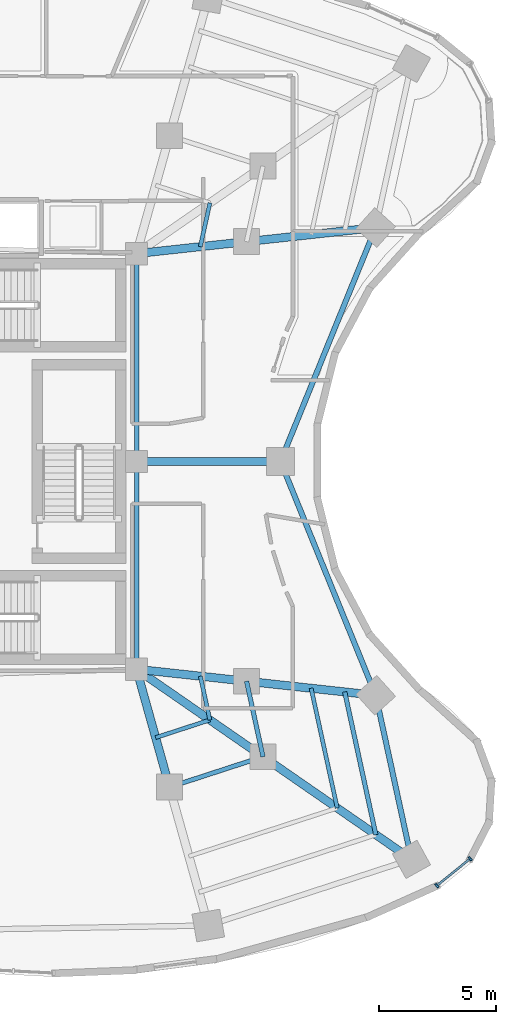
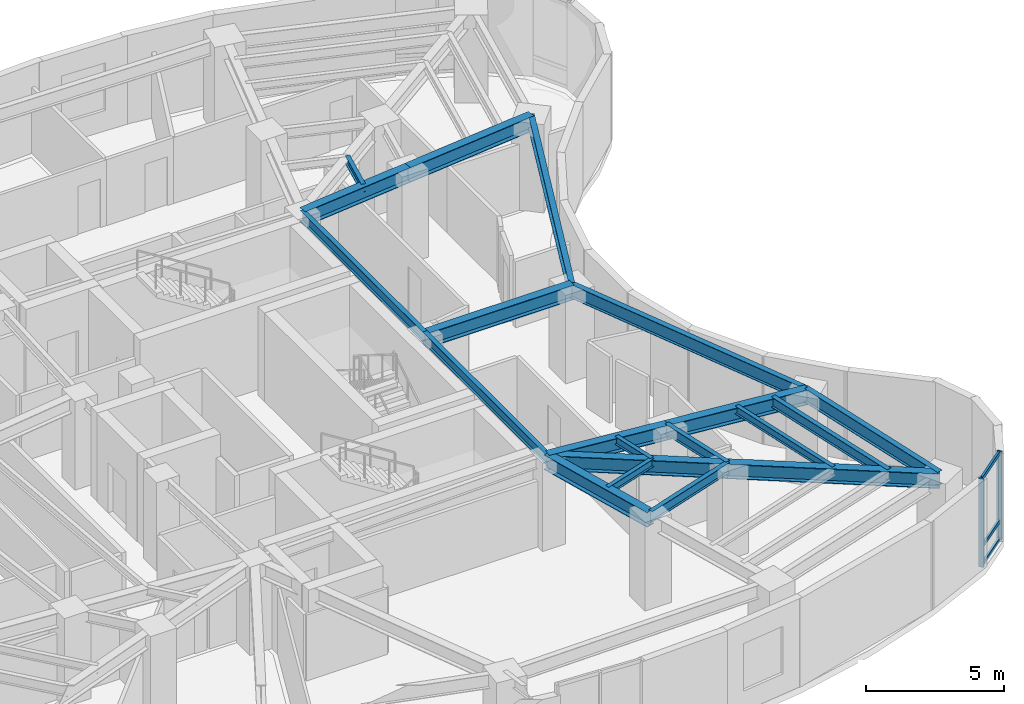
# One storey, part 4 of 14: 20 beams, 5 members, 1 element without a shape of its own.
"""IFC4 building model written with IfcOpenShell, lengths in metres."""

from ifc_helpers import new_model, si_unit, direction, frame, origin, origin_2d, place, context, subcontext, project, spatial, rectangle, i_section, extrude, material, layer, layer_set, material_profile, profile_set, type_object, element, aggregate, save


model = new_model("IFC4")

# Units and contexts
model_context = context("Model", 3, precision=1e-05, world=origin(), true_north=direction((0.0, 1.0)))
body_context = subcontext(model_context, "Body", "Model", "MODEL_VIEW")
ifc_project = project(units=[si_unit("LENGTHUNIT", "METRE"), si_unit("AREAUNIT", "SQUARE_METRE"), si_unit("VOLUMEUNIT", "CUBIC_METRE"), si_unit("PLANEANGLEUNIT", "RADIAN"), si_unit("MASSUNIT", "GRAM", prefix="KILO")], contexts=[model_context])

# Site, building, storey
site_placement = place(None, origin())
site = spatial("IfcSite", under=ifc_project, at=site_placement, CompositionType="ELEMENT")
building_placement = place(site_placement, origin())
building = spatial("IfcBuilding", under=site, at=building_placement, Name="Korentha Bioscience Tower", CompositionType="ELEMENT")
storey_placement = place(building_placement, frame((0.0, 0.0, 102.60009765625)))
storey = spatial("IfcBuildingStorey", under=building, at=storey_placement, Name="L23", CompositionType="ELEMENT", Elevation=102.60009765625)

# Beams
ifc_material_1 = material(Name="Steel S355", Category="steel")
ifc_material_profile_1 = material_profile(ifc_material_1, i_section(OverallWidth=0.18994140625, OverallDepth=0.45703125, WebThickness=0.009033203125, FlangeThickness=0.014404296875, at=origin_2d()), Name="Steel S355")
ifc_profile_set_1 = profile_set([ifc_material_profile_1], Name="Steel S355 (MB-460)")
beam_type_1 = type_object("IfcBeamType", Name="Mid-Ring Tie Girder W460x74", PredefinedType="BEAM", material=ifc_profile_set_1)
beam_1_placement = place(storey_placement, frame((38.954833984375, 13.129150390625, 3.67138671875), z_axis=(0.95087582253, 0.309572560361, 0.0), x_axis=(-0.309572560361, 0.95087582253, 0.0)))
element("IfcBeam", 1, at=beam_1_placement, inside=storey, type_object=beam_type_1, Name="L23 Mid-Ring Tie Girder 12", PredefinedType="BEAM", context=body_context, shape_type="SweptSolid", body=[
    extrude(i_section(OverallWidth=0.18994140625, OverallDepth=0.45703125, WebThickness=0.009033203125, FlangeThickness=0.014404296875, at=origin_2d()), origin(), (0.0, 0.0, 1.0), 4.186767578125),
])
beam_2_placement = place(storey_placement, frame((42.93603515625, 14.42529296875, 3.67138671875), z_axis=(-0.212928773299, 0.977067724112, 0.0), x_axis=(-0.977067724112, -0.212928773299, 0.0)))
element("IfcBeam", 2, at=beam_2_placement, inside=storey, type_object=beam_type_1, Name="L23 Mid-Ring Tie Girder 13", PredefinedType="BEAM", context=body_context, shape_type="SweptSolid", body=[
    extrude(i_section(OverallWidth=0.18994140625, OverallDepth=0.45703125, WebThickness=0.009033203125, FlangeThickness=0.014404296875, at=origin_2d()), origin(), (0.0, 0.0, 1.0), 3.28955078125),
])
for number, where, z_axis, x_axis, name in (
    (3, (37.550048828125, 18.14990234375, 3.67138671875), (0.0, 1.0, 0.0), (-1.0, 0.0, 0.0), "L23 Core Ring Tie Girder 06"),
    (4, (37.550048828125, 27.0, 3.67138671875), (0.0, 1.0, 0.0), (-1.0, 0.0, 0.0), "L23 Core Ring Tie Girder 07"),
):
    element("IfcBeam", number, at=place(storey_placement, frame(where, z_axis=z_axis, x_axis=x_axis)), inside=storey, type_object=beam_type_1, Name=name, PredefinedType="BEAM", context=body_context, shape_type="SweptSolid", body=[
        extrude(i_section(OverallWidth=0.18994140625, OverallDepth=0.45703125, WebThickness=0.009033203125, FlangeThickness=0.014404296875, at=origin_2d()), origin(), (0.0, 0.0, 1.0), 8.85009765625),
    ])

# Curtain wall, members
ifc_material_2 = material(Name="Thermally Broken Aluminium Frame", Category="aluminium")
ifc_layer = layer(ifc_material_2, 0.219970703125, Name="Thermally Broken Aluminium Frame")
ifc_layer_set = layer_set([ifc_layer], Name="Thermally Broken Aluminium Frame (CW-T1)")
curtain_wall_type = type_object("IfcCurtainWallType", Name="Standard Bioscience Lab Unitised Curtain Wall CW-T1", PredefinedType="USERDEFINED", material=ifc_layer_set)
curtain_wall_placement = place(storey_placement, origin())
curtain_wall = element("IfcCurtainWall", 5, at=curtain_wall_placement, inside=storey, type_object=curtain_wall_type, Name="L23 Curtain Wall 37", ObjectType="UNITISED", PredefinedType="USERDEFINED")
ifc_material_3 = material(Name="Anodised Aluminium 6063-T6", Category="aluminium")
ifc_material_profile_2 = material_profile(ifc_material_3, rectangle(XDim=0.090087890625, YDim=0.199951171875, at=origin_2d()), Name="Anodised Aluminium 6063-T6")
ifc_profile_set_2 = profile_set([ifc_material_profile_2], Name="Anodised Aluminium 6063-T6 (CW-MUL)")
member_type_1 = type_object("IfcMemberType", Name="Mullion RECT 90x200", PredefinedType="MULLION", material=ifc_profile_set_2)
member_1_placement = place(storey_placement, frame((50.337158203125, 8.931884765625, 0.0), z_axis=(0.0, 0.0, 1.0), x_axis=(0.777315301098, 0.629111216463, 0.0)))
member_1 = element("IfcMember", 6, at=member_1_placement, type_object=member_type_1, Name="CW-L23-37 Mullion 1", PredefinedType="MULLION", context=body_context, shape_type="SweptSolid", body=[
    extrude(rectangle(XDim=0.090087890625, YDim=0.199951171875, at=origin_2d()), origin(), (0.0, 0.0, 1.0), 3.89990234375),
])
member_2_placement = place(storey_placement, frame((51.7578125, 10.08154296875, 0.0), z_axis=(0.0, 0.0, 1.0), x_axis=(0.777315301098, 0.629111216463, 0.0)))
member_2 = element("IfcMember", 7, at=member_2_placement, type_object=member_type_1, Name="CW-L23-37 Mullion 2", PredefinedType="MULLION", context=body_context, shape_type="SweptSolid", body=[
    extrude(rectangle(XDim=0.090087890625, YDim=0.199951171875, at=origin_2d()), origin(), (0.0, 0.0, 1.0), 3.89990234375),
])

# Beams
ifc_material_profile_3 = material_profile(ifc_material_1, i_section(OverallWidth=0.22802734375, OverallDepth=0.60791015625, WebThickness=0.01123046875, FlangeThickness=0.017333984375, at=origin_2d()), Name="Steel S355")
ifc_profile_set_3 = profile_set([ifc_material_profile_3], Name="Steel S355 (SB-610)")
beam_type_2 = type_object("IfcBeamType", Name="Perimeter Ring Spandrel Girder W610x113", PredefinedType="SPANDREL", material=ifc_profile_set_3)
beam_3_placement = place(storey_placement, frame((49.2587890625, 10.052978515625, 3.595947265625), z_axis=(-0.212927102256, 0.977068088275, 0.0), x_axis=(-0.977068088275, -0.212927102256, 0.0)))
element("IfcBeam", 8, at=beam_3_placement, inside=storey, type_object=beam_type_2, Name="L23 Perimeter Spandrel Girder 13", PredefinedType="SPANDREL", context=body_context, shape_type="SweptSolid", body=[
    extrude(i_section(OverallWidth=0.22802734375, OverallDepth=0.60791015625, WebThickness=0.01123046875, FlangeThickness=0.017333984375, at=origin_2d()), origin(), (0.0, 0.0, 1.0), 7.1513671875),
])
for number, where, z_axis, x_axis, name in (
    (9, (47.736083984375, 17.040283203125, 3.595947265625), (-0.37709856037, 0.926173134876, 0.0), (-0.926173134876, -0.37709856037, 0.0), "L23 Perimeter Spandrel Girder 14"),
    (10, (43.680908203125, 27.0, 3.595947265625), (0.37709856037, 0.926173134876, 0.0), (-0.926173134876, 0.37709856037, 0.0), "L23 Perimeter Spandrel Girder 15"),
):
    element("IfcBeam", number, at=place(storey_placement, frame(where, z_axis=z_axis, x_axis=x_axis)), inside=storey, type_object=beam_type_2, Name=name, PredefinedType="SPANDREL", context=body_context, shape_type="SweptSolid", body=[
        extrude(i_section(OverallWidth=0.22802734375, OverallDepth=0.60791015625, WebThickness=0.01123046875, FlangeThickness=0.017333984375, at=origin_2d()), origin(), (0.0, 0.0, 1.0), 10.753662109375),
    ])
ifc_material_profile_4 = material_profile(ifc_material_1, i_section(OverallWidth=0.18994140625, OverallDepth=0.45703125, WebThickness=0.009033203125, FlangeThickness=0.014404296875, at=origin_2d()), Name="Steel S355")
ifc_profile_set_4 = profile_set([ifc_material_profile_4], Name="Steel S355 (RB-460)")
beam_type_3 = type_object("IfcBeamType", Name="Radial Laboratory Beam W460x74", PredefinedType="BEAM", material=ifc_profile_set_4)
beam_4_placement = place(storey_placement, frame((47.7412109375, 11.1025390625, 3.67138671875), z_axis=(-0.21290837934, 0.977072168269, 0.0), x_axis=(-0.977072168269, -0.21290837934, 0.0)))
element("IfcBeam", 11, at=beam_4_placement, inside=storey, type_object=beam_type_3, Name="L23 Secondary Floor Beam JSTO-13", PredefinedType="BEAM", context=body_context, shape_type="SweptSolid", body=[
    extrude(i_section(OverallWidth=0.18994140625, OverallDepth=0.45703125, WebThickness=0.009033203125, FlangeThickness=0.014404296875, at=origin_2d()), origin(), (0.0, 0.0, 1.0), 6.224365234375),
])
ifc_material_profile_5 = material_profile(ifc_material_1, i_section(OverallWidth=0.35009765625, OverallDepth=0.64990234375, WebThickness=0.01611328125, FlangeThickness=0.02490234375, at=origin_2d()), Name="Steel S355")
ifc_profile_set_5 = profile_set([ifc_material_profile_5], Name="Steel S355 (RB-650)")
beam_type_4 = type_object("IfcBeamType", Name="Radial Laboratory Girder CVS 650x208", PredefinedType="BEAM", material=ifc_profile_set_5)
beam_5_placement = place(storey_placement, frame((37.550048828125, 18.14990234375, 3.574951171875), z_axis=(0.269447542125, -0.96301506844, 0.0), x_axis=(0.96301506844, 0.269447542125, 0.0)))
element("IfcBeam", 12, at=beam_5_placement, inside=storey, type_object=beam_type_4, Name="L23 Inner Radial Girder 12", PredefinedType="BEAM", context=body_context, shape_type="SweptSolid", body=[
    extrude(i_section(OverallWidth=0.35009765625, OverallDepth=0.64990234375, WebThickness=0.01611328125, FlangeThickness=0.02490234375, at=origin_2d()), origin(), (0.0, 0.0, 1.0), 5.213623046875),
])
beam_6_placement = place(storey_placement, frame((37.550048828125, 18.14990234375, 3.574951171875), z_axis=(0.822488699387, -0.568781451333, 0.0), x_axis=(0.568781451333, 0.822488699387, 0.0)))
element("IfcBeam", 13, at=beam_6_placement, inside=storey, type_object=beam_type_4, Name="L23 Inner Radial Girder 13", PredefinedType="BEAM", context=body_context, shape_type="SweptSolid", body=[
    extrude(i_section(OverallWidth=0.35009765625, OverallDepth=0.64990234375, WebThickness=0.01611328125, FlangeThickness=0.02490234375, at=origin_2d()), origin(), (0.0, 0.0, 1.0), 6.54833984375),
])
beam_7_placement = place(storey_placement, frame((42.93603515625, 14.42529296875, 3.574951171875), z_axis=(0.822495056204, -0.568772258922, 0.0), x_axis=(0.568772258922, 0.822495056204, 0.0)))
element("IfcBeam", 14, at=beam_7_placement, inside=storey, type_object=beam_type_4, Name="L23 Outer Radial Girder 13", PredefinedType="BEAM", context=body_context, shape_type="SweptSolid", body=[
    extrude(i_section(OverallWidth=0.35009765625, OverallDepth=0.64990234375, WebThickness=0.01611328125, FlangeThickness=0.02490234375, at=origin_2d()), origin(), (0.0, 0.0, 1.0), 7.687255859375),
])
beam_8_placement = place(storey_placement, frame((37.550048828125, 18.14990234375, 3.574951171875), z_axis=(0.994117092476, -0.108310694058, 0.0), x_axis=(0.108310694058, 0.994117092476, 0.0)))
element("IfcBeam", 15, at=beam_8_placement, inside=storey, type_object=beam_type_4, Name="L23 Inner Radial Girder 14", PredefinedType="BEAM", context=body_context, shape_type="SweptSolid", body=[
    extrude(i_section(OverallWidth=0.35009765625, OverallDepth=0.64990234375, WebThickness=0.01611328125, FlangeThickness=0.02490234375, at=origin_2d()), origin(), (0.0, 0.0, 1.0), 4.71337890625),
])
beam_9_placement = place(storey_placement, frame((42.235595703125, 17.639404296875, 3.574951171875), z_axis=(0.994120325557, -0.108281015487, 0.0), x_axis=(0.108281015487, 0.994120325557, 0.0)))
element("IfcBeam", 16, at=beam_9_placement, inside=storey, type_object=beam_type_4, Name="L23 Outer Radial Girder 14", PredefinedType="BEAM", context=body_context, shape_type="SweptSolid", body=[
    extrude(i_section(OverallWidth=0.35009765625, OverallDepth=0.64990234375, WebThickness=0.01611328125, FlangeThickness=0.02490234375, at=origin_2d()), origin(), (0.0, 0.0, 1.0), 5.532958984375),
])
beam_10_placement = place(storey_placement, frame((37.550048828125, 27.0, 3.574951171875), z_axis=(1.0, 0.0, 0.0), x_axis=(0.0, 1.0, 0.0)))
element("IfcBeam", 17, at=beam_10_placement, inside=storey, type_object=beam_type_4, Name="L23 Radial Girder 15", PredefinedType="BEAM", context=body_context, shape_type="SweptSolid", body=[
    extrude(i_section(OverallWidth=0.35009765625, OverallDepth=0.64990234375, WebThickness=0.01611328125, FlangeThickness=0.02490234375, at=origin_2d()), origin(), (0.0, 0.0, 1.0), 6.130859375),
])
beam_11_placement = place(storey_placement, frame((37.550048828125, 35.85009765625, 3.574951171875), z_axis=(0.994117092476, 0.108310694058, 0.0), x_axis=(-0.108310694058, 0.994117092476, 0.0)))
element("IfcBeam", 18, at=beam_11_placement, inside=storey, type_object=beam_type_4, Name="L23 Inner Radial Girder 16", PredefinedType="BEAM", context=body_context, shape_type="SweptSolid", body=[
    extrude(i_section(OverallWidth=0.35009765625, OverallDepth=0.64990234375, WebThickness=0.01611328125, FlangeThickness=0.02490234375, at=origin_2d()), origin(), (0.0, 0.0, 1.0), 4.71337890625),
])
beam_12_placement = place(storey_placement, frame((42.235595703125, 36.360595703125, 3.574951171875), z_axis=(0.994120325557, 0.108281015487, 0.0), x_axis=(-0.108281015487, 0.994120325557, 0.0)))
element("IfcBeam", 19, at=beam_12_placement, inside=storey, type_object=beam_type_4, Name="L23 Outer Radial Girder 16", PredefinedType="BEAM", context=body_context, shape_type="SweptSolid", body=[
    extrude(i_section(OverallWidth=0.35009765625, OverallDepth=0.64990234375, WebThickness=0.01611328125, FlangeThickness=0.02490234375, at=origin_2d()), origin(), (0.0, 0.0, 1.0), 5.532958984375),
])
ifc_material_profile_6 = material_profile(ifc_material_1, i_section(OverallWidth=0.1708984375, OverallDepth=0.35498046875, WebThickness=0.007080078125, FlangeThickness=0.01171875, at=origin_2d()), Name="Steel S355")
ifc_profile_set_6 = profile_set([ifc_material_profile_6], Name="Steel S355 (JB-360)")
beam_type_5 = type_object("IfcBeamType", Name="Secondary Laboratory Joist W360x51", PredefinedType="JOIST", material=ifc_profile_set_6)
beam_13_placement = place(storey_placement, frame((38.36474609375, 15.23779296875, 3.722412109375), z_axis=(0.950852158547, 0.30964523666, 0.0), x_axis=(-0.30964523666, 0.950852158547, 0.0)))
element("IfcBeam", 20, at=beam_13_placement, inside=storey, type_object=beam_type_5, Name="L23 Inner Bay Joist 12", PredefinedType="JOIST", context=body_context, shape_type="SweptSolid", body=[
    extrude(i_section(OverallWidth=0.1708984375, OverallDepth=0.35498046875, WebThickness=0.007080078125, FlangeThickness=0.01171875, at=origin_2d()), origin(), (0.0, 0.0, 1.0), 2.428466796875),
])
beam_14_placement = place(storey_placement, frame((46.097412109375, 12.2392578125, 3.722412109375), z_axis=(-0.212932493609, 0.977066913351, 0.0), x_axis=(-0.977066913351, -0.212932493609, 0.0)))
element("IfcBeam", 21, at=beam_14_placement, inside=storey, type_object=beam_type_5, Name="L23 Secondary Floor Beam JST-13", PredefinedType="JOIST", context=body_context, shape_type="SweptSolid", body=[
    extrude(i_section(OverallWidth=0.1708984375, OverallDepth=0.35498046875, WebThickness=0.007080078125, FlangeThickness=0.01171875, at=origin_2d()), origin(), (0.0, 0.0, 1.0), 5.22021484375),
])
for number, where, z_axis, x_axis, name in (
    (22, (40.673828125, 15.98974609375, 3.722412109375), (-0.212918344001, 0.977069996872, 0.0), (-0.977069996872, -0.212918344001, 0.0), "L23 Inner Bay Joist 13"),
    (23, (40.267578125, 36.14599609375, 3.722412109375), (0.212918344001, 0.977069996872, 0.0), (-0.977069996872, 0.212918344001, 0.0), "L23 Inner Bay Joist 16"),
):
    element("IfcBeam", number, at=place(storey_placement, frame(where, z_axis=z_axis, x_axis=x_axis)), inside=storey, type_object=beam_type_5, Name=name, PredefinedType="JOIST", context=body_context, shape_type="SweptSolid", body=[
        extrude(i_section(OverallWidth=0.1708984375, OverallDepth=0.35498046875, WebThickness=0.007080078125, FlangeThickness=0.01171875, at=origin_2d()), origin(), (0.0, 0.0, 1.0), 1.907958984375),
    ])

# Member
ifc_material_profile_7 = material_profile(ifc_material_3, rectangle(XDim=0.090087890625, YDim=0.159912109375, at=origin_2d()), Name="Anodised Aluminium 6063-T6")
ifc_profile_set_7 = profile_set([ifc_material_profile_7], Name="Anodised Aluminium 6063-T6 (CW-TRN)")
member_type_2 = type_object("IfcMemberType", Name="Transom RECT 90x160", PredefinedType="USERDEFINED", material=ifc_profile_set_7)
member_3_placement = place(storey_placement, frame((50.3720703125, 8.960205078125, 0.044921875), z_axis=(0.777333214738, 0.629089082137, 0.0), x_axis=(-0.629089082137, 0.777333214738, 0.0)))
member_3 = element("IfcMember", 24, at=member_3_placement, type_object=member_type_2, Name="CW-L23-37 Bay 1 Transom 1", ObjectType="TRANSOM", PredefinedType="USERDEFINED", context=body_context, shape_type="SweptSolid", body=[
    extrude(rectangle(XDim=0.090087890625, YDim=0.159912109375, at=origin_2d()), origin(), (0.0, 0.0, 1.0), 1.737548828125),
])

member_4_placement = place(storey_placement, frame((50.3720703125, 8.960205078125, 0.849853515625), z_axis=(0.777333214738, 0.629089082137, 0.0), x_axis=(-0.629089082137, 0.777333214738, 0.0)))
member_4 = element("IfcMember", 25, at=member_4_placement, type_object=member_type_2, Name="CW-L23-37 Bay 1 Transom 2", ObjectType="TRANSOM", PredefinedType="USERDEFINED", context=body_context, shape_type="SweptSolid", body=[
    extrude(rectangle(XDim=0.090087890625, YDim=0.159912109375, at=origin_2d()), origin(), (0.0, 0.0, 1.0), 1.737548828125),
])

member_5_placement = place(storey_placement, frame((50.3720703125, 8.960205078125, 3.85498046875), z_axis=(0.777333214738, 0.629089082137, 0.0), x_axis=(-0.629089082137, 0.777333214738, 0.0)))
member_5 = element("IfcMember", 26, at=member_5_placement, type_object=member_type_2, Name="CW-L23-37 Bay 1 Transom 3", ObjectType="TRANSOM", PredefinedType="USERDEFINED", context=body_context, shape_type="SweptSolid", body=[
    extrude(rectangle(XDim=0.090087890625, YDim=0.159912109375, at=origin_2d()), origin(), (0.0, 0.0, 1.0), 1.737548828125),
])

aggregate(curtain_wall, [member_1, member_2, member_3, member_4, member_5])

save(model, "model.ifc")
